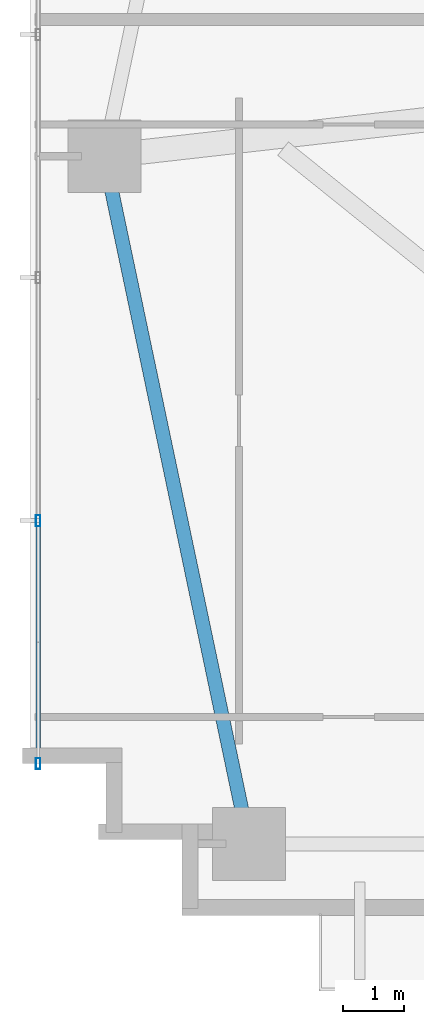
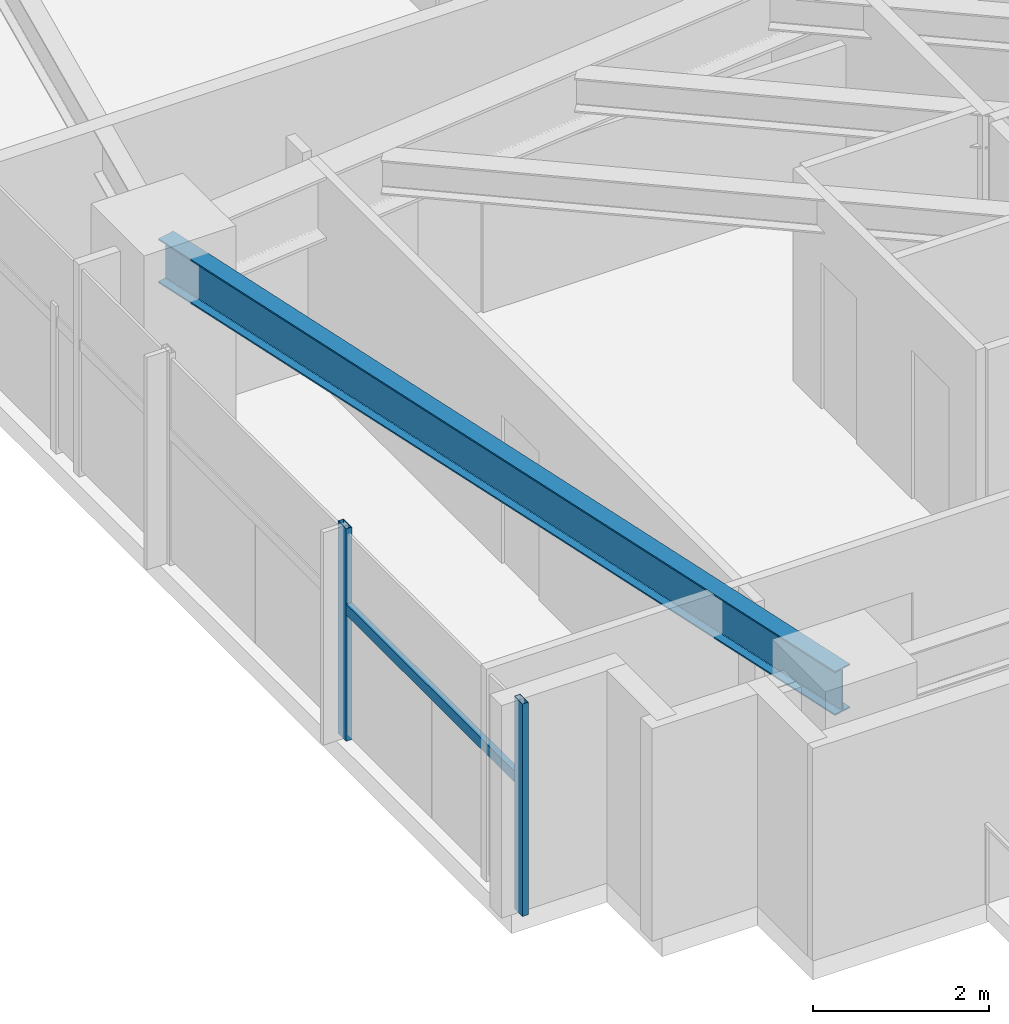
# One storey, part 2 of 25: 3 members, 1 beam, 1 element without a shape of its own.
"""IFC4 building model written with IfcOpenShell, lengths in metres."""

from ifc_helpers import new_model, si_unit, direction, frame, origin, origin_2d, place, context, subcontext, project, spatial, hollow_rectangle, i_section, extrude, source, transform, mapped, material, material_profile, profile_set, type_object, type_shapes, element, aggregate, save


model = new_model("IFC4")

# Units and contexts
model_context = context("Model", 3, precision=1e-05, world=origin(), true_north=direction((0.0, 1.0)))
body_context = subcontext(model_context, "Body", "Model", "MODEL_VIEW")
ifc_project = project(units=[si_unit("LENGTHUNIT", "METRE"), si_unit("AREAUNIT", "SQUARE_METRE"), si_unit("VOLUMEUNIT", "CUBIC_METRE"), si_unit("PLANEANGLEUNIT", "RADIAN"), si_unit("MASSUNIT", "GRAM", prefix="KILO")], contexts=[model_context])

# Site, building, storey
site_placement = place(None, origin())
site = spatial("IfcSite", under=ifc_project, at=site_placement, CompositionType="ELEMENT")
building_placement = place(site_placement, origin())
building = spatial("IfcBuilding", under=site, at=building_placement, Name="Astriad Promenade Condominiums", CompositionType="ELEMENT")
storey_placement = place(building_placement, frame((0.0, 0.0, 39.0)))
storey = spatial("IfcBuildingStorey", under=building, at=storey_placement, Name="L10", CompositionType="ELEMENT", Elevation=39.0)

# Beam
ifc_material_1 = material(Name="Steel ASTM A992 Grade 50", Category="steel")
ifc_material_profile_1 = material_profile(ifc_material_1, i_section(OverallWidth=0.22900390625, OverallDepth=0.612060546875, WebThickness=0.011962890625, FlangeThickness=0.01953125, FilletRadius=0.017822265625, at=origin_2d()), Name="W24X84")
ifc_profile_set_1 = profile_set([ifc_material_profile_1], Name="Steel ASTM A992 Grade 50")
beam_type = type_object("IfcBeamType", Name="STEEL SPANDREL BEAM W24X84", PredefinedType="SPANDREL", material=ifc_profile_set_1)
shared_shape_1 = source(origin(), body_context, "Body", "SweptSolid", [
    extrude(i_section(OverallWidth=0.22900390625, OverallDepth=0.612060546875, WebThickness=0.011962890625, FlangeThickness=0.01953125, FilletRadius=0.017822265625, at=origin_2d()), origin(), (0.0, 0.0, 1.0), 11.487548828125),
])
type_shapes(beam_type, [shared_shape_1])
beam_placement = place(storey_placement, frame((7.0283203125, 15.160888671875, 2.6337890625), z_axis=(0.205748055501, -0.978604995725, 0.0), x_axis=(0.978604995725, 0.205748055501, 0.0)))
element("IfcBeam", 1, at=beam_placement, inside=storey, type_object=beam_type, Name="Perimeter Spandrel Beam SP-W1-L10", PredefinedType="SPANDREL", context=body_context, shape_type="MappedRepresentation", body=[
    mapped(shared_shape_1, transform((0.0, 0.0, 0.0), scale=1.0)),
])

# Curtain wall, members
ifc_material_2 = material(Name="Anodised aluminium Black Dark Glass Unitised", Category="aluminium")
curtain_wall_type = type_object("IfcCurtainWallType", Name="CW-B1-DARK", PredefinedType="USERDEFINED", material=ifc_material_2)
curtain_wall_placement = place(storey_placement, origin())
curtain_wall = element("IfcCurtainWall", 2, at=curtain_wall_placement, inside=storey, type_object=curtain_wall_type, Name="CW-L10-W", ObjectType="UNITISED_CURTAIN_WALL", PredefinedType="USERDEFINED")
ifc_material_3 = material(Name="Anodised aluminium 6063-T6 Black", Category="aluminium")
ifc_material_profile_2 = material_profile(ifc_material_3, hollow_rectangle(XDim=0.074951171875, YDim=0.18505859375, WallThickness=0.00439453125, at=origin_2d()), Name="ALU-MUL-75X185")
ifc_profile_set_2 = profile_set([ifc_material_profile_2], Name="Anodised aluminium 6063-T6 Black")
member_type_1 = type_object("IfcMemberType", Name="MUL-ALU-MUL-75X185", PredefinedType="MULLION", material=ifc_profile_set_2)
shared_shape_2 = source(origin(), body_context, "Body", "SweptSolid", [
    extrude(hollow_rectangle(XDim=0.074951171875, YDim=0.18505859375, WallThickness=0.00439453125, at=origin_2d()), origin(), (0.0, 0.0, 1.0), 2.93994140625),
])
type_shapes(member_type_1, [shared_shape_2])
member_1_placement = place(storey_placement, frame((5.929931640625, 5.199951171875, 0.0), z_axis=(0.0, 0.0, 1.0), x_axis=(1.0, 0.0, 0.0)))
member_1 = element("IfcMember", 3, at=member_1_placement, type_object=member_type_1, Name="CW-L10-W-MUL-00", PredefinedType="MULLION", context=body_context, shape_type="MappedRepresentation", body=[
    mapped(shared_shape_2, transform((0.0, 0.0, 0.0), scale=1.0)),
])
member_2_placement = place(storey_placement, frame((5.929931640625, 9.199951171875, 0.0), z_axis=(0.0, 0.0, 1.0), x_axis=(1.0, 0.0, 0.0)))
member_2 = element("IfcMember", 4, at=member_2_placement, type_object=member_type_1, Name="CW-L10-W-MUL-01", PredefinedType="MULLION", context=body_context, shape_type="MappedRepresentation", body=[
    mapped(shared_shape_2, transform((0.0, 0.0, 0.0), scale=1.0)),
])
ifc_material_profile_3 = material_profile(ifc_material_3, hollow_rectangle(XDim=0.074951171875, YDim=0.14990234375, WallThickness=0.004150390625, at=origin_2d()), Name="ALU-TRN-75X150")
ifc_profile_set_3 = profile_set([ifc_material_profile_3], Name="Anodised aluminium 6063-T6 Black")
member_type_2 = type_object("IfcMemberType", Name="TRN-ALU-TRN-75X150", PredefinedType="USERDEFINED", material=ifc_profile_set_3)
shared_shape_3 = source(origin(), body_context, "Body", "SweptSolid", [
    extrude(hollow_rectangle(XDim=0.074951171875, YDim=0.14990234375, WallThickness=0.004150390625, at=origin_2d()), origin(), (0.0, 0.0, 1.0), 4.0),
])
type_shapes(member_type_2, [shared_shape_3])
member_3_placement = place(storey_placement, frame((5.929931640625, 5.199951171875, 1.82275390625), z_axis=(0.0, 1.0, 0.0), x_axis=(-1.0, 0.0, 0.0)))
member_3 = element("IfcMember", 5, at=member_3_placement, type_object=member_type_2, Name="CW-L10-W-TRN-00-0", ObjectType="TRANSOM", PredefinedType="USERDEFINED", context=body_context, shape_type="MappedRepresentation", body=[
    mapped(shared_shape_3, transform((0.0, 0.0, 0.0), scale=1.0)),
])
aggregate(curtain_wall, [member_1, member_2, member_3])

save(model, "model.ifc")
